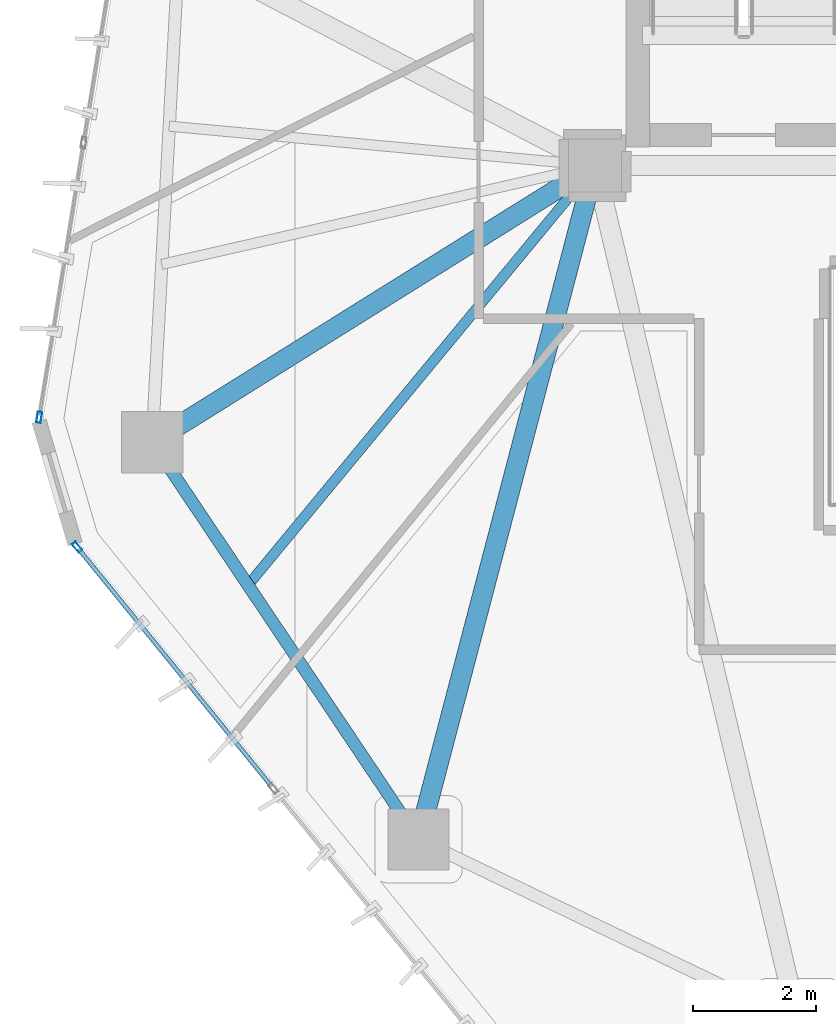
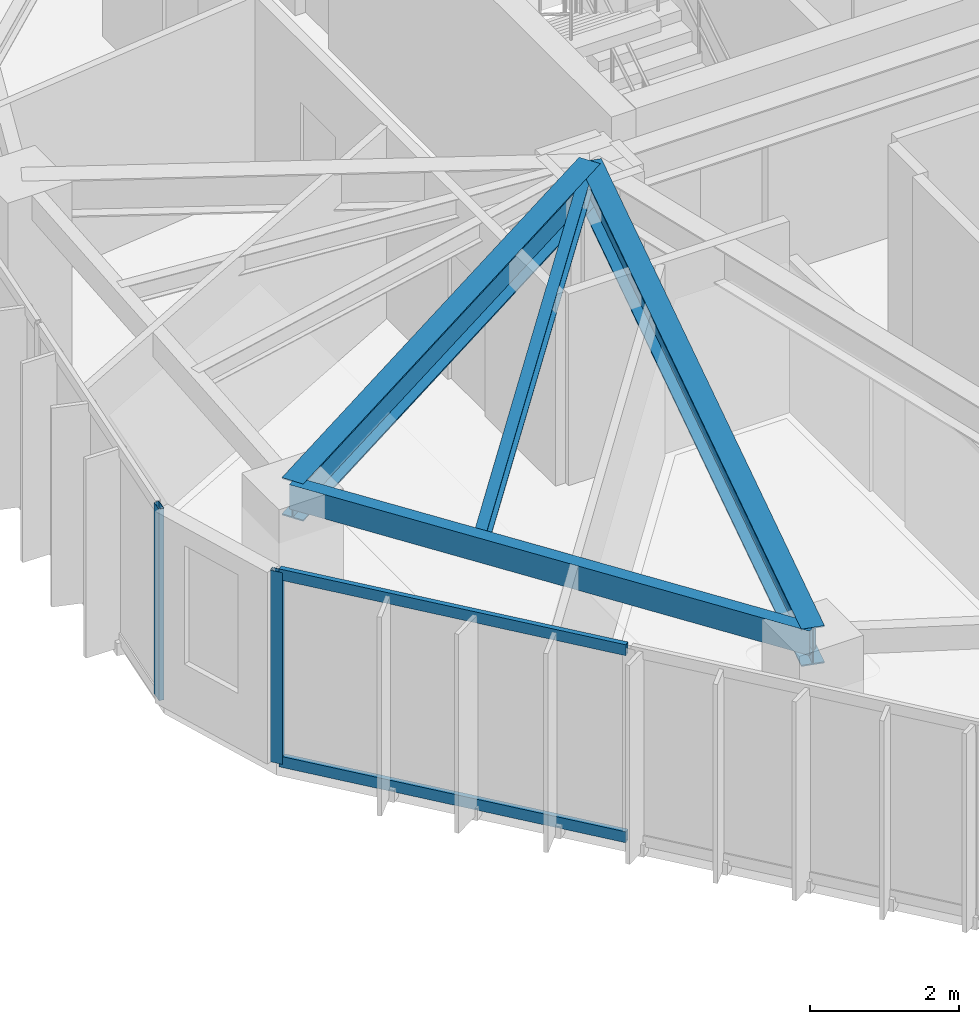
# One storey, part 3 of 20: 4 beams, 4 members, 2 elements without a shape of their own.
"""IFC4 building model written with IfcOpenShell, lengths in metres."""

from ifc_helpers import new_model, si_unit, direction, frame, origin, origin_2d, place, context, subcontext, project, spatial, hollow_rectangle, i_section, extrude, source, transform, mapped, material, layer, layer_set, material_profile, profile_set, type_object, type_shapes, element, aggregate, save


model = new_model("IFC4")

# Units and contexts
model_context = context("Model", 3, precision=1e-05, world=origin(), true_north=direction((0.0, 1.0)))
body_context = subcontext(model_context, "Body", "Model", "MODEL_VIEW")
ifc_project = project(units=[si_unit("LENGTHUNIT", "METRE"), si_unit("AREAUNIT", "SQUARE_METRE"), si_unit("VOLUMEUNIT", "CUBIC_METRE"), si_unit("PLANEANGLEUNIT", "RADIAN"), si_unit("MASSUNIT", "GRAM", prefix="KILO")], contexts=[model_context])

# Site, building, storey
site_placement = place(None, origin())
site = spatial("IfcSite", under=ifc_project, at=site_placement, CompositionType="ELEMENT")
building_placement = place(site_placement, origin())
building = spatial("IfcBuilding", under=site, at=building_placement, Name="Talar Marvaseh", CompositionType="ELEMENT")
storey_placement = place(building_placement, frame((0.0, 0.0, 198.5)))
storey = spatial("IfcBuildingStorey", under=building, at=storey_placement, Name="L52", CompositionType="ELEMENT", Elevation=198.5)

# Beams
ifc_material_1 = material(Name="Steel S355", Category="steel")
ifc_material_profile_1 = material_profile(ifc_material_1, hollow_rectangle(XDim=0.199951171875, YDim=0.39990234375, WallThickness=0.013916015625, at=origin_2d()), Name="RHS400x200x14")
ifc_profile_set_1 = profile_set([ifc_material_profile_1], Name="Steel S355")
beam_type_1 = type_object("IfcBeamType", Name="Zone 3 Perimeter Spandrel Beam RHS400x200x14", PredefinedType="SPANDREL", material=ifc_profile_set_1)
beam_1_placement = place(storey_placement, frame((15.819091796875, 14.5009765625, 2.949951171875), z_axis=(-0.556805579613, 0.830642851358, 0.0), x_axis=(-0.830642851358, -0.556805579613, 0.0)))
element("IfcBeam", 1, at=beam_1_placement, inside=storey, type_object=beam_type_1, Name="L52 Zone 3 Perimeter Spandrel Beam RHS400x200x14", PredefinedType="SPANDREL", context=body_context, shape_type="SweptSolid", body=[
    extrude(hollow_rectangle(XDim=0.199951171875, YDim=0.39990234375, WallThickness=0.013916015625, at=origin_2d()), origin(), (0.0, 0.0, 1.0), 7.807373046875),
])
ifc_material_profile_2 = material_profile(ifc_material_1, i_section(OverallWidth=0.324951171875, OverallDepth=0.615966796875, WebThickness=0.013916015625, FlangeThickness=0.021484375, at=origin_2d()), Name="W610x174")
ifc_profile_set_2 = profile_set([ifc_material_profile_2], Name="Steel S355")
beam_type_2 = type_object("IfcBeamType", Name="Zone 3 Radial Floor Girder W610x174", PredefinedType="BEAM", material=ifc_profile_set_2)
beam_2_placement = place(storey_placement, frame((15.819091796875, 14.5009765625, 2.842041015625), z_axis=(0.253372787776, 0.967368714821, 0.0), x_axis=(-0.967368714821, 0.253372787776, 0.0)))
element("IfcBeam", 2, at=beam_2_placement, inside=storey, type_object=beam_type_2, Name="L52 Zone 3 Radial Floor Girder W610x174", PredefinedType="BEAM", context=body_context, shape_type="SweptSolid", body=[
    extrude(i_section(OverallWidth=0.324951171875, OverallDepth=0.615966796875, WebThickness=0.013916015625, FlangeThickness=0.021484375, at=origin_2d()), origin(), (0.0, 0.0, 1.0), 11.3701171875),
])
beam_3_placement = place(storey_placement, frame((11.471923828125, 20.986083984375, 2.842041015625), z_axis=(0.848188171212, 0.52969503133, 0.0), x_axis=(-0.52969503133, 0.848188171212, 0.0)))
element("IfcBeam", 3, at=beam_3_placement, inside=storey, type_object=beam_type_2, Name="L52 Zone 3 Radial Floor Girder W610x174", PredefinedType="BEAM", context=body_context, shape_type="SweptSolid", body=[
    extrude(i_section(OverallWidth=0.324951171875, OverallDepth=0.615966796875, WebThickness=0.013916015625, FlangeThickness=0.021484375, at=origin_2d()), origin(), (0.0, 0.0, 1.0), 8.521728515625),
])
ifc_material_profile_3 = material_profile(ifc_material_1, i_section(OverallWidth=0.166015625, OverallDepth=0.31298828125, WebThickness=0.006591796875, FlangeThickness=0.01123046875, at=origin_2d()), Name="W310x45")
ifc_profile_set_3 = profile_set([ifc_material_profile_3], Name="Steel S355")
beam_type_3 = type_object("IfcBeamType", Name="Zone 3 Secondary Floor Joist W310x45", PredefinedType="JOIST", material=ifc_profile_set_3)
beam_4_placement = place(storey_placement, frame((13.036865234375, 18.6513671875, 2.993408203125), z_axis=(0.637250554087, 0.770656688362, 0.0), x_axis=(-0.770656688362, 0.637250554087, 0.0)))
element("IfcBeam", 4, at=beam_4_placement, inside=storey, type_object=beam_type_3, Name="L52 Zone 3 Secondary Floor Joist W310x45", PredefinedType="JOIST", context=body_context, shape_type="SweptSolid", body=[
    extrude(i_section(OverallWidth=0.166015625, OverallDepth=0.31298828125, WebThickness=0.006591796875, FlangeThickness=0.01123046875, at=origin_2d()), origin(), (0.0, 0.0, 1.0), 8.88671875),
])

# Curtain wall, members
ifc_material_2 = material(Name="Architectural Aluminium", Category="aluminium")
ifc_layer = layer(ifc_material_2, 0.18994140625)
ifc_layer_set = layer_set([ifc_layer], Name="Architectural Aluminium")
curtain_wall_type = type_object("IfcCurtainWallType", Name="Unitised Solar Atelier Curtain Wall Z3", PredefinedType="NOTDEFINED", material=ifc_layer_set)
curtain_wall_1_placement = place(storey_placement, origin())
curtain_wall_1 = element("IfcCurtainWall", 5, at=curtain_wall_1_placement, inside=storey, type_object=curtain_wall_type, Name="L52 Unitised Solar Atelier Curtain Wall Z3", PredefinedType="NOTDEFINED")
ifc_material_profile_4 = material_profile(ifc_material_2, hollow_rectangle(XDim=0.074951171875, YDim=0.179931640625, WallThickness=0.0048828125, at=origin_2d()), Name="RHS180x75x5")
ifc_profile_set_4 = profile_set([ifc_material_profile_4], Name="Architectural Aluminium")
member_type_1 = type_object("IfcMemberType", Name="Unitised Curtain Wall Transom RHS180x75x5", PredefinedType="USERDEFINED", material=ifc_profile_set_4)
shared_shape_1 = source(origin(), body_context, "Body", "SweptSolid", [
    extrude(hollow_rectangle(XDim=0.074951171875, YDim=0.179931640625, WallThickness=0.0048828125, at=origin_2d()), origin(), (0.0, 0.0, 1.0), 5.00048828125),
])
type_shapes(member_type_1, [shared_shape_1])
member_1_placement = place(storey_placement, frame((13.42626953125, 15.36376953125, 0.03759765625), z_axis=(-0.630660631744, 0.776058739767, 0.0), x_axis=(-0.776058739767, -0.630660631744, 0.0)))
member_1 = element("IfcMember", 6, at=member_1_placement, type_object=member_type_1, Name="CW-Z3 transom 3.1", ObjectType="TRANSOM", PredefinedType="USERDEFINED", context=body_context, shape_type="MappedRepresentation", body=[
    mapped(shared_shape_1, transform((0.0, 0.0, 0.0), x_axis=(1.0, 0.0, 0.0), y_axis=(0.0, 1.0, 0.0), z_axis=(0.0, 0.0, 1.0), scale=1.0)),
])
member_2_placement = place(storey_placement, frame((13.42626953125, 15.36376953125, 3.112548828125), z_axis=(-0.630660631744, 0.776058739767, 0.0), x_axis=(-0.776058739767, -0.630660631744, 0.0)))
member_2 = element("IfcMember", 7, at=member_2_placement, type_object=member_type_1, Name="CW-Z3 transom 3.2", ObjectType="TRANSOM", PredefinedType="USERDEFINED", context=body_context, shape_type="MappedRepresentation", body=[
    mapped(shared_shape_1, transform((0.0, 0.0, 0.0), x_axis=(1.0, 0.0, 0.0), y_axis=(0.0, 1.0, 0.0), z_axis=(0.0, 0.0, 1.0), scale=1.0)),
])
ifc_material_profile_5 = material_profile(ifc_material_2, hollow_rectangle(XDim=0.074951171875, YDim=0.179931640625, WallThickness=0.0048828125, at=origin_2d()), Name="RHS180x75x5")
ifc_profile_set_5 = profile_set([ifc_material_profile_5], Name="Architectural Aluminium")
member_type_2 = type_object("IfcMemberType", Name="Unitised Curtain Wall Standard Mullion RHS180x75x5", PredefinedType="MULLION", material=ifc_profile_set_5)
shared_shape_2 = source(origin(), body_context, "Body", "SweptSolid", [
    extrude(hollow_rectangle(XDim=0.074951171875, YDim=0.179931640625, WallThickness=0.0048828125, at=origin_2d()), origin(), (0.0, 0.0, 1.0), 3.14990234375),
])
type_shapes(member_type_2, [shared_shape_2])
member_3_placement = place(storey_placement, frame((10.2490234375, 19.273681640625, 0.0), z_axis=(0.0, 0.0, 1.0), x_axis=(-0.776086081319, -0.630626985138, 0.0)))
member_3 = element("IfcMember", 8, at=member_3_placement, type_object=member_type_2, Name="CW-Z3 mullion 4", PredefinedType="MULLION", context=body_context, shape_type="MappedRepresentation", body=[
    mapped(shared_shape_2, transform((0.0, 0.0, 0.0), x_axis=(1.0, 0.0, 0.0), y_axis=(0.0, 1.0, 0.0), z_axis=(0.0, 0.0, 1.0), scale=1.0)),
])
aggregate(curtain_wall_1, [member_3, member_1, member_2])

# Curtain wall, member
curtain_wall_2_placement = place(storey_placement, origin())
curtain_wall_2 = element("IfcCurtainWall", 9, at=curtain_wall_2_placement, inside=storey, type_object=curtain_wall_type, Name="L52 Unitised Solar Atelier Curtain Wall Z3", PredefinedType="NOTDEFINED")
member_4_placement = place(storey_placement, frame((9.6298828125, 21.390869140625, 0.0), z_axis=(0.0, 0.0, 1.0), x_axis=(-0.987186333682, 0.159571747475, 0.0)))
member_4 = element("IfcMember", 10, at=member_4_placement, type_object=member_type_2, Name="CW-Z3 mullion 1", PredefinedType="MULLION", context=body_context, shape_type="MappedRepresentation", body=[
    mapped(shared_shape_2, transform((0.0, 0.0, 0.0), x_axis=(1.0, 0.0, 0.0), y_axis=(0.0, 1.0, 0.0), z_axis=(0.0, 0.0, 1.0), scale=1.0)),
])
aggregate(curtain_wall_2, [member_4])

save(model, "model.ifc")
